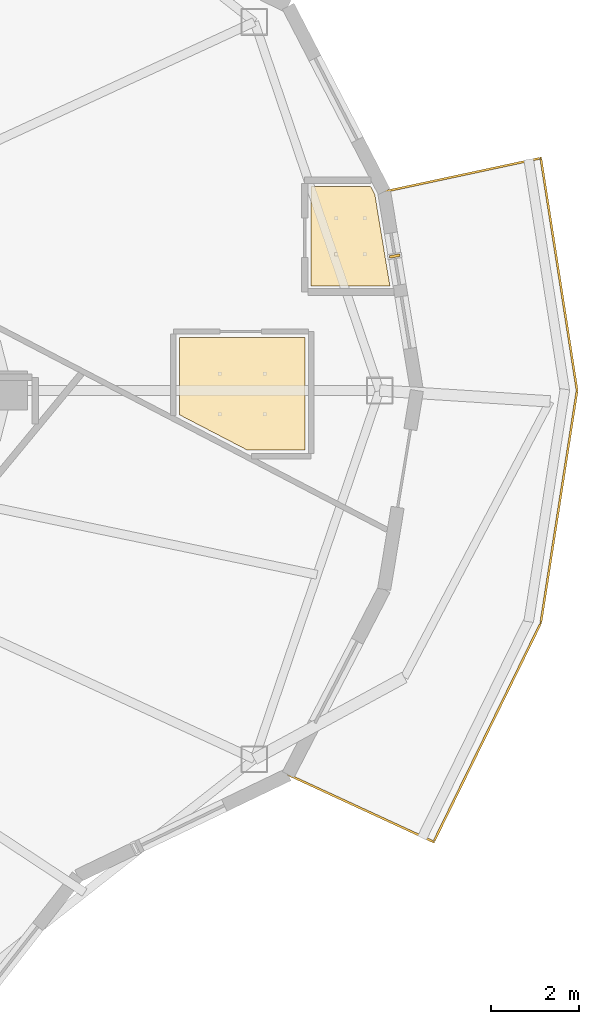
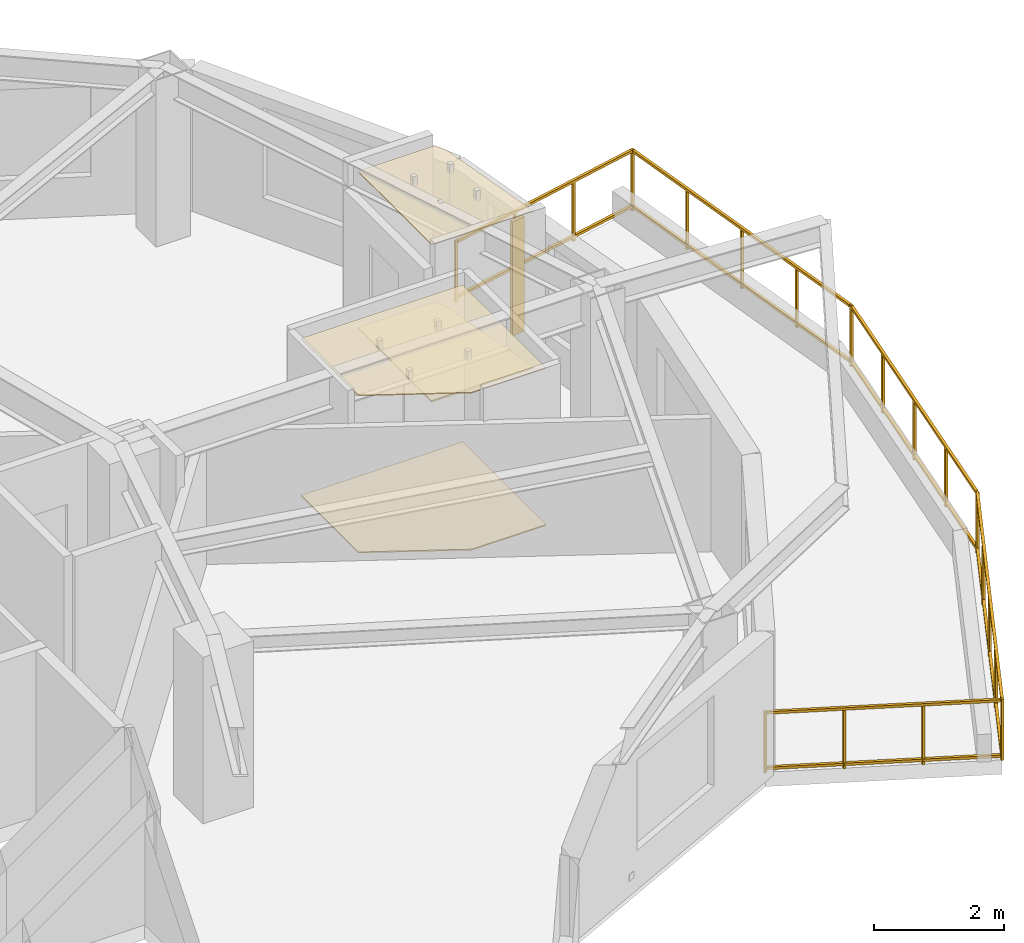
# One storey, part 13 of 14: 4 coverings, 1 railing, 1 shading device.
"""IFC4 building model written with IfcOpenShell, lengths in metres."""

from ifc_helpers import new_model, si_unit, direction, frame, origin, origin_2d, place, context, subcontext, project, spatial, polyline, rectangle, outline, extrude, material, layer, layer_set, type_object, element, save


model = new_model("IFC4")

# Units and contexts
model_context = context("Model", 3, precision=1e-05, world=origin(), true_north=direction((0.0, 1.0)))
body_context = subcontext(model_context, "Body", "Model", "MODEL_VIEW")
ifc_project = project(units=[si_unit("LENGTHUNIT", "METRE"), si_unit("AREAUNIT", "SQUARE_METRE"), si_unit("VOLUMEUNIT", "CUBIC_METRE"), si_unit("PLANEANGLEUNIT", "RADIAN"), si_unit("MASSUNIT", "GRAM", prefix="KILO")], contexts=[model_context])

# Site, building, storey
site_placement = place(None, origin())
site = spatial("IfcSite", under=ifc_project, at=site_placement, CompositionType="ELEMENT")
building_placement = place(site_placement, origin())
building = spatial("IfcBuilding", under=site, at=building_placement, Name="Kolvaren Gate Tower and Convention Centre", CompositionType="ELEMENT")
storey_placement = place(building_placement, frame((0.0, 0.0, 173.300048828125)))
storey = spatial("IfcBuildingStorey", under=building, at=storey_placement, Name="L45", CompositionType="ELEMENT", Elevation=173.300048828125)

# Coverings
ifc_material_1 = material(Name="Perforated Mineral-Fibre Acoustic Ceiling Tile 18 mm", Category="gypsum")
ifc_layer_1 = layer(ifc_material_1, 0.01806640625)
ifc_layer_set_1 = layer_set([ifc_layer_1], Name="Perforated Mineral-Fibre Acoustic Ceiling Tile 18 mm")
covering_type_1 = type_object("IfcCoveringType", Name="ARCH-COV-CEIL-18", PredefinedType="CEILING", material=ifc_layer_set_1)
covering_1_placement = place(storey_placement, frame((0.0, 0.0, 2.949951171875)))
element("IfcCovering", 1, at=covering_1_placement, inside=storey, type_object=covering_type_1, Name="Suite Principal Bedroom (HTL-L45-05) Acoustic Suspended Ceiling", PredefinedType="CEILING", context=body_context, shape_type="SweptSolid", body=[
    extrude(outline(polyline([(46.639892578125, 28.2099609375), (49.510009765625, 28.2099609375), (49.510009765625, 25.639892578125), (48.18994140625, 25.639892578125), (46.639892578125, 26.446044921875), (46.639892578125, 28.2099609375)])), origin(), (0.0, 0.0, 1.0), 0.01806640625),
])
covering_2_placement = place(storey_placement, frame((0.0, 0.0, 2.949951171875)))
element("IfcCovering", 2, at=covering_2_placement, inside=storey, type_object=covering_type_1, Name="En-suite Bathroom (HTL-L45-05) Acoustic Suspended Ceiling", PredefinedType="CEILING", context=body_context, shape_type="SweptSolid", body=[
    extrude(outline(polyline([(49.639892578125, 29.389892578125), (49.639892578125, 31.659912109375), (51.006103515625, 31.659912109375), (51.10302734375, 31.471923828125), (51.446044921875, 29.389892578125), (49.639892578125, 29.389892578125)])), origin(), (0.0, 0.0, 1.0), 0.01806640625),
])
ifc_material_2 = material(Name="Honed Sabana Limestone Terrazzo Flooring 30 mm", Category="masonry")
ifc_layer_2 = layer(ifc_material_2, 0.030029296875)
ifc_layer_set_2 = layer_set([ifc_layer_2], Name="Honed Sabana Limestone Terrazzo Flooring 30 mm")
covering_type_2 = type_object("IfcCoveringType", Name="ARCH-COV-FLR-30", PredefinedType="FLOORING", material=ifc_layer_set_2)
covering_3_placement = place(storey_placement, origin())
element("IfcCovering", 3, at=covering_3_placement, inside=storey, type_object=covering_type_2, Name="En-suite Bathroom (HTL-L45-05) Interior Finish Flooring", PredefinedType="FLOORING", context=body_context, shape_type="SweptSolid", body=[
    extrude(outline(polyline([(49.639892578125, 29.389892578125), (49.639892578125, 31.659912109375), (51.006103515625, 31.659912109375), (51.10302734375, 31.471923828125), (51.446044921875, 29.389892578125), (49.639892578125, 29.389892578125)])), origin(), (0.0, 0.0, 1.0), 0.030029296875),
])
ifc_material_3 = material(Name="FSC Andean Oak Engineered Parquet Flooring 22 mm", Category="wood")
ifc_layer_3 = layer(ifc_material_3, 0.02197265625)
ifc_layer_set_3 = layer_set([ifc_layer_3], Name="FSC Andean Oak Engineered Parquet Flooring 22 mm")
covering_type_3 = type_object("IfcCoveringType", Name="ARCH-COV-WOOD-22", PredefinedType="FLOORING", material=ifc_layer_set_3)
covering_4_placement = place(storey_placement, origin())
element("IfcCovering", 4, at=covering_4_placement, inside=storey, type_object=covering_type_3, Name="Suite Principal Bedroom (HTL-L45-05) Interior Finish Flooring", PredefinedType="FLOORING", context=body_context, shape_type="SweptSolid", body=[
    extrude(outline(polyline([(46.639892578125, 28.2099609375), (49.510009765625, 28.2099609375), (49.510009765625, 25.639892578125), (48.18994140625, 25.639892578125), (46.639892578125, 26.446044921875), (46.639892578125, 28.2099609375)])), origin(), (0.0, 0.0, 1.0), 0.02197265625),
])

# Railing
ifc_material_4 = material(Name="Brushed Stainless Steel Grade 316L", Category="steel")
railing_type = type_object("IfcRailingType", Name="ARCH-RL-GUARD-1150", PredefinedType="GUARDRAIL", material=ifc_material_4)
railing_placement = place(storey_placement, frame((49.123291015625, 18.22509765625, 0.0)))
element("IfcRailing", 5, at=railing_placement, inside=storey, type_object=railing_type, Name="Tower L45 Terrace Perimeter Guardrail GR-4", PredefinedType="GUARDRAIL", context=body_context, shape_type="SweptSolid", body=[
    extrude(rectangle(XDim=0.048095703125, YDim=0.048095703125, at=origin_2d()), frame((0.025390625, -0.01171875, 1.1259765625), z_axis=(0.907820723829, -0.419358478377, 0.0), x_axis=(0.419358478377, 0.907820723829, 0.0)), (0.0, 0.0, 1.0), 3.60400390625),
    extrude(rectangle(XDim=0.048095703125, YDim=0.048095703125, at=origin_2d()), frame((0.025390625, -0.01171875, 0.083984375), z_axis=(0.907820723829, -0.419358478377, 0.0), x_axis=(0.419358478377, 0.907820723829, 0.0)), (0.0, 0.0, 1.0), 3.60400390625),
    extrude(rectangle(XDim=0.048095703125, YDim=0.048095703125, at=origin_2d()), frame((3.335205078125, -1.509765625, 1.1259765625), z_axis=(0.439655234701, 0.898166618507, 0.0), x_axis=(-0.898166618507, 0.439655234701, 0.0)), (0.0, 0.0, 1.0), 5.51123046875),
    extrude(rectangle(XDim=0.048095703125, YDim=0.048095703125, at=origin_2d()), frame((3.335205078125, -1.509765625, 0.083984375), z_axis=(0.439655234701, 0.898166618507, 0.0), x_axis=(-0.898166618507, 0.439655234701, 0.0)), (0.0, 0.0, 1.0), 5.51123046875),
    extrude(rectangle(XDim=0.048095703125, YDim=0.048095703125, at=origin_2d()), frame((5.77490234375, 3.493408203125, 1.1259765625), z_axis=(0.154200861408, 0.988039520637, 0.0), x_axis=(-0.988039520637, 0.154200861408, 0.0)), (0.0, 0.0, 1.0), 5.3173828125),
    extrude(rectangle(XDim=0.048095703125, YDim=0.048095703125, at=origin_2d()), frame((5.77490234375, 3.493408203125, 0.083984375), z_axis=(0.154200861408, 0.988039520637, 0.0), x_axis=(-0.988039520637, 0.154200861408, 0.0)), (0.0, 0.0, 1.0), 5.3173828125),
    extrude(rectangle(XDim=0.048095703125, YDim=0.048095703125, at=origin_2d()), frame((6.5947265625, 8.802734375, 1.1259765625), z_axis=(-0.154200861408, 0.988039520637, 0.0), x_axis=(-0.988039520637, -0.154200861408, 0.0)), (0.0, 0.0, 1.0), 5.3173828125),
    extrude(rectangle(XDim=0.048095703125, YDim=0.048095703125, at=origin_2d()), frame((6.5947265625, 8.802734375, 0.083984375), z_axis=(-0.154200861408, 0.988039520637, 0.0), x_axis=(-0.988039520637, -0.154200861408, 0.0)), (0.0, 0.0, 1.0), 5.3173828125),
    extrude(rectangle(XDim=0.048095703125, YDim=0.048095703125, at=origin_2d()), frame((5.7431640625, 14.078369140625, 1.1259765625), z_axis=(-0.977791675321, -0.209579196661, 0.0), x_axis=(0.209579196661, -0.977791675321, 0.0)), (0.0, 0.0, 1.0), 3.60400390625),
    extrude(rectangle(XDim=0.048095703125, YDim=0.048095703125, at=origin_2d()), frame((5.7431640625, 14.078369140625, 0.083984375), z_axis=(-0.977791675321, -0.209579196661, 0.0), x_axis=(0.209579196661, -0.977791675321, 0.0)), (0.0, 0.0, 1.0), 3.60400390625),
    extrude(rectangle(XDim=0.0419921875, YDim=0.0419921875, at=origin_2d()), origin(), (0.0, 0.0, 1.0), 1.14990234375),
    extrude(rectangle(XDim=0.0419921875, YDim=0.0419921875, at=origin_2d()), frame((3.32275390625, -1.534912109375, 0.0)), (0.0, 0.0, 1.0), 1.14990234375),
    extrude(rectangle(XDim=0.0419921875, YDim=0.0419921875, at=origin_2d()), frame((1.107666015625, -0.51171875, 0.0)), (0.0, 0.0, 1.0), 1.099853515625),
    extrude(rectangle(XDim=0.0419921875, YDim=0.0419921875, at=origin_2d()), frame((2.215087890625, -1.023193359375, 0.0)), (0.0, 0.0, 1.0), 1.099853515625),
    extrude(rectangle(XDim=0.0419921875, YDim=0.0419921875, at=origin_2d()), frame((5.7705078125, 3.465576171875, 0.0)), (0.0, 0.0, 1.0), 1.14990234375),
    extrude(rectangle(XDim=0.0419921875, YDim=0.0419921875, at=origin_2d()), frame((3.9345703125, -0.28466796875, 0.0)), (0.0, 0.0, 1.0), 1.099853515625),
    extrude(rectangle(XDim=0.0419921875, YDim=0.0419921875, at=origin_2d()), frame((4.546630859375, 0.96533203125, 0.0)), (0.0, 0.0, 1.0), 1.099853515625),
    extrude(rectangle(XDim=0.0419921875, YDim=0.0419921875, at=origin_2d()), frame((5.15869140625, 2.21533203125, 0.0)), (0.0, 0.0, 1.0), 1.099853515625),
    extrude(rectangle(XDim=0.0419921875, YDim=0.0419921875, at=origin_2d()), frame((6.59912109375, 8.77490234375, 0.0)), (0.0, 0.0, 1.0), 1.14990234375),
    extrude(rectangle(XDim=0.0419921875, YDim=0.0419921875, at=origin_2d()), frame((5.9775390625, 4.79296875, 0.0)), (0.0, 0.0, 1.0), 1.099853515625),
    extrude(rectangle(XDim=0.0419921875, YDim=0.0419921875, at=origin_2d()), frame((6.184814453125, 6.1201171875, 0.0)), (0.0, 0.0, 1.0), 1.099853515625),
    extrude(rectangle(XDim=0.0419921875, YDim=0.0419921875, at=origin_2d()), frame((6.39208984375, 7.447509765625, 0.0)), (0.0, 0.0, 1.0), 1.099853515625),
    extrude(rectangle(XDim=0.0419921875, YDim=0.0419921875, at=origin_2d()), frame((5.7705078125, 14.084228515625, 0.0)), (0.0, 0.0, 1.0), 1.14990234375),
    extrude(rectangle(XDim=0.0419921875, YDim=0.0419921875, at=origin_2d()), frame((6.39208984375, 10.102294921875, 0.0)), (0.0, 0.0, 1.0), 1.099853515625),
    extrude(rectangle(XDim=0.0419921875, YDim=0.0419921875, at=origin_2d()), frame((6.184814453125, 11.4296875, 0.0)), (0.0, 0.0, 1.0), 1.099853515625),
    extrude(rectangle(XDim=0.0419921875, YDim=0.0419921875, at=origin_2d()), frame((5.9775390625, 12.7568359375, 0.0)), (0.0, 0.0, 1.0), 1.099853515625),
    extrude(rectangle(XDim=0.0419921875, YDim=0.0419921875, at=origin_2d()), frame((2.191650390625, 13.317138671875, 0.0)), (0.0, 0.0, 1.0), 1.14990234375),
    extrude(rectangle(XDim=0.0419921875, YDim=0.0419921875, at=origin_2d()), frame((4.57763671875, 13.82861328125, 0.0)), (0.0, 0.0, 1.0), 1.099853515625),
    extrude(rectangle(XDim=0.0419921875, YDim=0.0419921875, at=origin_2d()), frame((3.384521484375, 13.57275390625, 0.0)), (0.0, 0.0, 1.0), 1.099853515625),
])

# Shading device
ifc_material_5 = material(Name="Kiln-Fired Bogota Terracotta Ceramic Louvre Profile", Category="masonry")
shading_device_type = type_object("IfcShadingDeviceType", Name="ARCH-SHD-FIN-180", PredefinedType="JALOUSIE", material=ifc_material_5)
shading_device_placement = place(storey_placement, frame((51.556884765625, 30.072021484375, 0.219970703125), z_axis=(0.0, 0.0, 1.0), x_axis=(0.162380568014, -0.986728205298, 0.0)))
element("IfcShadingDevice", 6, at=shading_device_placement, inside=storey, type_object=shading_device_type, Name="Ceramic Vertical Brise-Soleil Fin FN-L45-00", PredefinedType="JALOUSIE", context=body_context, shape_type="SweptSolid", body=[
    extrude(rectangle(XDim=0.06005859375, YDim=0.239990234375, at=origin_2d()), origin(), (0.0, 0.0, 1.0), 2.14990234375),
])

save(model, "model.ifc")
